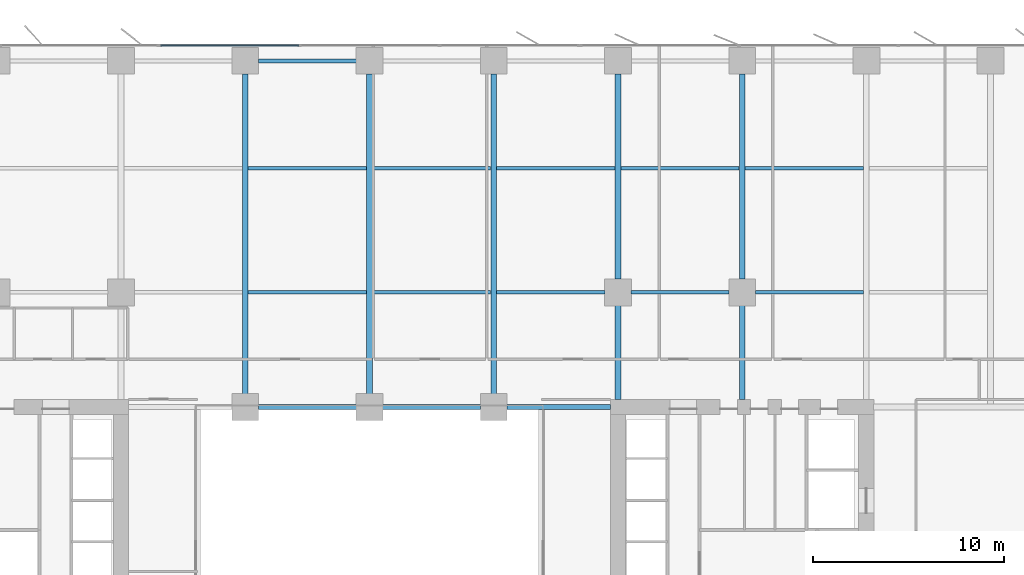
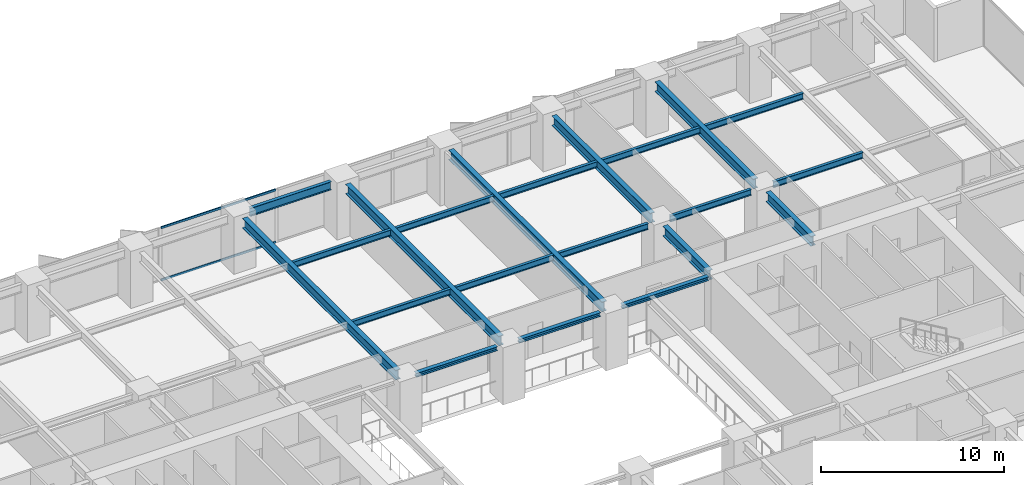
# One storey, part 8 of 20: 21 beams, 2 members, 1 element without a shape of its own.
"""IFC4 building model written with IfcOpenShell, lengths in metres."""

from ifc_helpers import new_model, si_unit, direction, frame, origin, origin_2d, place, context, subcontext, project, spatial, rectangle, i_section, extrude, material, layer, layer_set, material_profile, profile_set, type_object, element, aggregate, save


model = new_model("IFC4")

# Units and contexts
model_context = context("Model", 3, precision=1e-05, world=origin(), true_north=direction((0.0, 1.0)))
body_context = subcontext(model_context, "Body", "Model", "MODEL_VIEW")
ifc_project = project(units=[si_unit("LENGTHUNIT", "METRE"), si_unit("AREAUNIT", "SQUARE_METRE"), si_unit("VOLUMEUNIT", "CUBIC_METRE"), si_unit("PLANEANGLEUNIT", "RADIAN"), si_unit("MASSUNIT", "GRAM", prefix="KILO")], contexts=[model_context])

# Site, building, storey
site_placement = place(None, origin())
site = spatial("IfcSite", under=ifc_project, at=site_placement, CompositionType="ELEMENT")
building_placement = place(site_placement, origin())
building = spatial("IfcBuilding", under=site, at=building_placement, Name="Putna Gate Headquarters", CompositionType="ELEMENT")
storey_placement = place(building_placement, frame((0.0, 0.0, 73.39990234375)))
storey = spatial("IfcBuildingStorey", under=building, at=storey_placement, Name="L17", CompositionType="ELEMENT", Elevation=73.39990234375)

# Beams
ifc_material_1 = material(Name="Steel S355J2", Category="steel")
ifc_material_profile_1 = material_profile(ifc_material_1, i_section(OverallWidth=0.260009765625, OverallDepth=0.260009765625, WebThickness=0.010009765625, FlangeThickness=0.017578125, at=origin_2d()), Name="Steel S355J2")
ifc_profile_set_1 = profile_set([ifc_material_profile_1], Name="Steel S355J2")
beam_type_1 = type_object("IfcBeamType", Name="BM-ATRIUM-HEB260", PredefinedType="BEAM", material=ifc_profile_set_1)
for number, where, z_axis, x_axis, name in (
    (1, (33.18798828125, 33.0, 3.420166015625), (1.0, 0.0, 0.0), (0.0, 1.0, 0.0), "L17 Atrium Edge Beam AN2"),
    (2, (39.68798828125, 33.0, 3.420166015625), (1.0, 0.0, 0.0), (0.0, 1.0, 0.0), "L17 Atrium Edge Beam AN3"),
):
    element("IfcBeam", number, at=place(storey_placement, frame(where, z_axis=z_axis, x_axis=x_axis)), inside=storey, type_object=beam_type_1, Name=name, PredefinedType="BEAM", context=body_context, shape_type="SweptSolid", body=[
        extrude(i_section(OverallWidth=0.260009765625, OverallDepth=0.260009765625, WebThickness=0.010009765625, FlangeThickness=0.017578125, at=origin_2d()), origin(), (0.0, 0.0, 1.0), 5.1240234375),
    ])
beam_1_placement = place(storey_placement, frame((46.18798828125, 33.0, 3.420166015625), z_axis=(1.0, 0.0, 0.0), x_axis=(0.0, 1.0, 0.0)))
element("IfcBeam", 3, at=beam_1_placement, inside=storey, type_object=beam_type_1, Name="L17 Atrium Edge Beam AN4", PredefinedType="BEAM", context=body_context, shape_type="SweptSolid", body=[
    extrude(i_section(OverallWidth=0.260009765625, OverallDepth=0.260009765625, WebThickness=0.010009765625, FlangeThickness=0.017578125, at=origin_2d()), origin(), (0.0, 0.0, 1.0), 5.427001953125),
])
ifc_material_profile_2 = material_profile(ifc_material_1, i_section(OverallWidth=0.300048828125, OverallDepth=0.64990234375, WebThickness=0.01611328125, FlangeThickness=0.031005859375, at=origin_2d()), Name="Steel S355J2")
ifc_profile_set_2 = profile_set([ifc_material_profile_2], Name="Steel S355J2")
beam_type_2 = type_object("IfcBeamType", Name="BM-GIRD-Z1-HEB650", PredefinedType="USERDEFINED", material=ifc_profile_set_2)
for number, where, z_axis, x_axis, name in (
    (4, (32.5, 33.68798828125, 3.22509765625), (0.0, 1.0, 0.0), (-1.0, 0.0, 0.0), "L17 North Primary Girder X32"),
    (5, (39.0, 33.68798828125, 3.22509765625), (0.0, 1.0, 0.0), (-1.0, 0.0, 0.0), "L17 North Primary Girder X39"),
    (6, (45.5, 33.68798828125, 3.22509765625), (0.0, 1.0, 0.0), (-1.0, 0.0, 0.0), "L17 North Primary Girder X45"),
):
    element("IfcBeam", number, at=place(storey_placement, frame(where, z_axis=z_axis, x_axis=x_axis)), inside=storey, type_object=beam_type_2, Name=name, ObjectType="GIRDER", PredefinedType="USERDEFINED", context=body_context, shape_type="SweptSolid", body=[
        extrude(i_section(OverallWidth=0.300048828125, OverallDepth=0.64990234375, WebThickness=0.01611328125, FlangeThickness=0.031005859375, at=origin_2d()), origin(), (0.0, 0.0, 1.0), 16.743896484375),
    ])
beam_2_placement = place(storey_placement, frame((52.0, 33.385009765625, 3.22509765625), z_axis=(0.0, 1.0, 0.0), x_axis=(-1.0, 0.0, 0.0)))
element("IfcBeam", 7, at=beam_2_placement, inside=storey, type_object=beam_type_2, Name="L17 North Primary Girder X52-1", ObjectType="GIRDER", PredefinedType="USERDEFINED", context=body_context, shape_type="SweptSolid", body=[
    extrude(i_section(OverallWidth=0.300048828125, OverallDepth=0.64990234375, WebThickness=0.01611328125, FlangeThickness=0.031005859375, at=origin_2d()), origin(), (0.0, 0.0, 1.0), 4.927001953125),
])
beam_3_placement = place(storey_placement, frame((52.0, 39.68798828125, 3.22509765625), z_axis=(0.0, 1.0, 0.0), x_axis=(-1.0, 0.0, 0.0)))
element("IfcBeam", 8, at=beam_3_placement, inside=storey, type_object=beam_type_2, Name="L17 North Primary Girder X52-2", ObjectType="GIRDER", PredefinedType="USERDEFINED", context=body_context, shape_type="SweptSolid", body=[
    extrude(i_section(OverallWidth=0.300048828125, OverallDepth=0.64990234375, WebThickness=0.01611328125, FlangeThickness=0.031005859375, at=origin_2d()), origin(), (0.0, 0.0, 1.0), 10.743896484375),
])
beam_4_placement = place(storey_placement, frame((58.5, 33.385009765625, 3.22509765625), z_axis=(0.0, 1.0, 0.0), x_axis=(-1.0, 0.0, 0.0)))
element("IfcBeam", 9, at=beam_4_placement, inside=storey, type_object=beam_type_2, Name="L17 North Primary Girder X58-1", ObjectType="GIRDER", PredefinedType="USERDEFINED", context=body_context, shape_type="SweptSolid", body=[
    extrude(i_section(OverallWidth=0.300048828125, OverallDepth=0.64990234375, WebThickness=0.01611328125, FlangeThickness=0.031005859375, at=origin_2d()), origin(), (0.0, 0.0, 1.0), 4.927001953125),
])
beam_5_placement = place(storey_placement, frame((58.5, 39.68798828125, 3.22509765625), z_axis=(0.0, 1.0, 0.0), x_axis=(-1.0, 0.0, 0.0)))
element("IfcBeam", 10, at=beam_5_placement, inside=storey, type_object=beam_type_2, Name="L17 North Primary Girder X58-2", ObjectType="GIRDER", PredefinedType="USERDEFINED", context=body_context, shape_type="SweptSolid", body=[
    extrude(i_section(OverallWidth=0.300048828125, OverallDepth=0.64990234375, WebThickness=0.01611328125, FlangeThickness=0.031005859375, at=origin_2d()), origin(), (0.0, 0.0, 1.0), 10.743896484375),
])
ifc_material_profile_3 = material_profile(ifc_material_1, i_section(OverallWidth=0.179931640625, OverallDepth=0.39990234375, WebThickness=0.008544921875, FlangeThickness=0.013427734375, at=origin_2d()), Name="Steel S355J2")
ifc_profile_set_3 = profile_set([ifc_material_profile_3], Name="Steel S355J2")
beam_type_3 = type_object("IfcBeamType", Name="BM-SEC-Z1-IPE400", PredefinedType="BEAM", material=ifc_profile_set_3)
for number, where, z_axis, x_axis, name in (
    (11, (32.654052734375, 39.0, 3.35009765625), (1.0, 0.0, 0.0), (0.0, 1.0, 0.0), "L17 North Secondary Beam 5"),
    (12, (32.654052734375, 45.5, 3.35009765625), (1.0, 0.0, 0.0), (0.0, 1.0, 0.0), "L17 North Secondary Beam 5"),
    (13, (39.154052734375, 39.0, 3.35009765625), (1.0, 0.0, 0.0), (0.0, 1.0, 0.0), "L17 North Secondary Beam 6"),
    (14, (39.154052734375, 45.5, 3.35009765625), (1.0, 0.0, 0.0), (0.0, 1.0, 0.0), "L17 North Secondary Beam 6"),
):
    element("IfcBeam", number, at=place(storey_placement, frame(where, z_axis=z_axis, x_axis=x_axis)), inside=storey, type_object=beam_type_3, Name=name, PredefinedType="BEAM", context=body_context, shape_type="SweptSolid", body=[
        extrude(i_section(OverallWidth=0.179931640625, OverallDepth=0.39990234375, WebThickness=0.008544921875, FlangeThickness=0.013427734375, at=origin_2d()), origin(), (0.0, 0.0, 1.0), 6.19189453125),
    ])
beam_6_placement = place(storey_placement, frame((45.654052734375, 39.0, 3.35009765625), z_axis=(1.0, 0.0, 0.0), x_axis=(0.0, 1.0, 0.0)))
element("IfcBeam", 15, at=beam_6_placement, inside=storey, type_object=beam_type_3, Name="L17 North Secondary Beam 7", PredefinedType="BEAM", context=body_context, shape_type="SweptSolid", body=[
    extrude(i_section(OverallWidth=0.179931640625, OverallDepth=0.39990234375, WebThickness=0.008544921875, FlangeThickness=0.013427734375, at=origin_2d()), origin(), (0.0, 0.0, 1.0), 5.657958984375),
])
beam_7_placement = place(storey_placement, frame((45.654052734375, 45.5, 3.35009765625), z_axis=(1.0, 0.0, 0.0), x_axis=(0.0, 1.0, 0.0)))
element("IfcBeam", 16, at=beam_7_placement, inside=storey, type_object=beam_type_3, Name="L17 North Secondary Beam 7", PredefinedType="BEAM", context=body_context, shape_type="SweptSolid", body=[
    extrude(i_section(OverallWidth=0.179931640625, OverallDepth=0.39990234375, WebThickness=0.008544921875, FlangeThickness=0.013427734375, at=origin_2d()), origin(), (0.0, 0.0, 1.0), 6.19189453125),
])
beam_8_placement = place(storey_placement, frame((52.68798828125, 39.0, 3.35009765625), z_axis=(1.0, 0.0, 0.0), x_axis=(0.0, 1.0, 0.0)))
element("IfcBeam", 17, at=beam_8_placement, inside=storey, type_object=beam_type_3, Name="L17 North Secondary Beam 8", PredefinedType="BEAM", context=body_context, shape_type="SweptSolid", body=[
    extrude(i_section(OverallWidth=0.179931640625, OverallDepth=0.39990234375, WebThickness=0.008544921875, FlangeThickness=0.013427734375, at=origin_2d()), origin(), (0.0, 0.0, 1.0), 5.1240234375),
])
beam_9_placement = place(storey_placement, frame((52.154052734375, 45.5, 3.35009765625), z_axis=(1.0, 0.0, 0.0), x_axis=(0.0, 1.0, 0.0)))
element("IfcBeam", 18, at=beam_9_placement, inside=storey, type_object=beam_type_3, Name="L17 North Secondary Beam 8", PredefinedType="BEAM", context=body_context, shape_type="SweptSolid", body=[
    extrude(i_section(OverallWidth=0.179931640625, OverallDepth=0.39990234375, WebThickness=0.008544921875, FlangeThickness=0.013427734375, at=origin_2d()), origin(), (0.0, 0.0, 1.0), 6.19189453125),
])
beam_10_placement = place(storey_placement, frame((59.18798828125, 39.0, 3.35009765625), z_axis=(1.0, 0.0, 0.0), x_axis=(0.0, 1.0, 0.0)))
element("IfcBeam", 19, at=beam_10_placement, inside=storey, type_object=beam_type_3, Name="L17 North Secondary Beam 9", PredefinedType="BEAM", context=body_context, shape_type="SweptSolid", body=[
    extrude(i_section(OverallWidth=0.179931640625, OverallDepth=0.39990234375, WebThickness=0.008544921875, FlangeThickness=0.013427734375, at=origin_2d()), origin(), (0.0, 0.0, 1.0), 5.657958984375),
])
beam_11_placement = place(storey_placement, frame((58.654052734375, 45.5, 3.35009765625), z_axis=(1.0, 0.0, 0.0), x_axis=(0.0, 1.0, 0.0)))
element("IfcBeam", 20, at=beam_11_placement, inside=storey, type_object=beam_type_3, Name="L17 North Secondary Beam 9", PredefinedType="BEAM", context=body_context, shape_type="SweptSolid", body=[
    extrude(i_section(OverallWidth=0.179931640625, OverallDepth=0.39990234375, WebThickness=0.008544921875, FlangeThickness=0.013427734375, at=origin_2d()), origin(), (0.0, 0.0, 1.0), 6.19189453125),
])
ifc_material_profile_4 = material_profile(ifc_material_1, i_section(OverallWidth=0.2099609375, OverallDepth=0.550048828125, WebThickness=0.010986328125, FlangeThickness=0.01708984375, at=origin_2d()), Name="Steel S355J2")
ifc_profile_set_4 = profile_set([ifc_material_profile_4], Name="Steel S355J2")
beam_type_4 = type_object("IfcBeamType", Name="BM-SPAN-Z1-IPE550", PredefinedType="SPANDREL", material=ifc_profile_set_4)
beam_12_placement = place(storey_placement, frame((33.18798828125, 51.1201171875, 3.275146484375), z_axis=(1.0, 0.0, 0.0), x_axis=(0.0, 1.0, 0.0)))
element("IfcBeam", 21, at=beam_12_placement, inside=storey, type_object=beam_type_4, Name="L17 N Perimeter Spandrel 5", PredefinedType="SPANDREL", context=body_context, shape_type="SweptSolid", body=[
    extrude(i_section(OverallWidth=0.2099609375, OverallDepth=0.550048828125, WebThickness=0.010986328125, FlangeThickness=0.01708984375, at=origin_2d()), origin(), (0.0, 0.0, 1.0), 5.1240234375),
])

# Curtain wall, members
ifc_material_2 = material(Name="Anodised bronze aluminium curtain wall", Category="aluminium")
ifc_layer = layer(ifc_material_2, 0.179931640625)
ifc_layer_set = layer_set([ifc_layer], Name="Anodised bronze aluminium curtain wall")
curtain_wall_type = type_object("IfcCurtainWallType", Name="CW-SYS-ATR", PredefinedType="USERDEFINED", material=ifc_layer_set)
curtain_wall_placement = place(storey_placement, origin())
curtain_wall = element("IfcCurtainWall", 22, at=curtain_wall_placement, inside=storey, type_object=curtain_wall_type, Name="L17 North Atrium Clear Glazing", ObjectType="ATRIUM GLAZING", PredefinedType="USERDEFINED")
ifc_material_3 = material(Name="Anodised bronze aluminium EN AW-6060", Category="aluminium")
ifc_material_profile_5 = material_profile(ifc_material_3, rectangle(XDim=0.070068359375, YDim=0.139892578125, at=origin_2d()), Name="Anodised bronze aluminium EN AW-6060")
ifc_profile_set_5 = profile_set([ifc_material_profile_5], Name="Anodised bronze aluminium EN AW-6060")
member_type = type_object("IfcMemberType", Name="TRAN-CWT-AT", PredefinedType="USERDEFINED", material=ifc_profile_set_5)
member_1_placement = place(storey_placement, frame((28.070068359375, 51.919921875, 0.03515625), z_axis=(1.0, 0.0, 0.0), x_axis=(0.0, 1.0, 0.0)))
member_1 = element("IfcMember", 23, at=member_1_placement, type_object=member_type, Name="CWS-AT transom 1.1", ObjectType="TRANSOM", PredefinedType="USERDEFINED", context=body_context, shape_type="SweptSolid", body=[
    extrude(rectangle(XDim=0.070068359375, YDim=0.139892578125, at=origin_2d()), origin(), (0.0, 0.0, 1.0), 7.228271484375),
])
member_2_placement = place(storey_placement, frame((28.070068359375, 51.919921875, 3.51513671875), z_axis=(1.0, 0.0, 0.0), x_axis=(0.0, 1.0, 0.0)))
member_2 = element("IfcMember", 24, at=member_2_placement, type_object=member_type, Name="CWS-AT transom 1.2", ObjectType="TRANSOM", PredefinedType="USERDEFINED", context=body_context, shape_type="SweptSolid", body=[
    extrude(rectangle(XDim=0.070068359375, YDim=0.139892578125, at=origin_2d()), origin(), (0.0, 0.0, 1.0), 7.228271484375),
])
aggregate(curtain_wall, [member_1, member_2])

save(model, "model.ifc")
